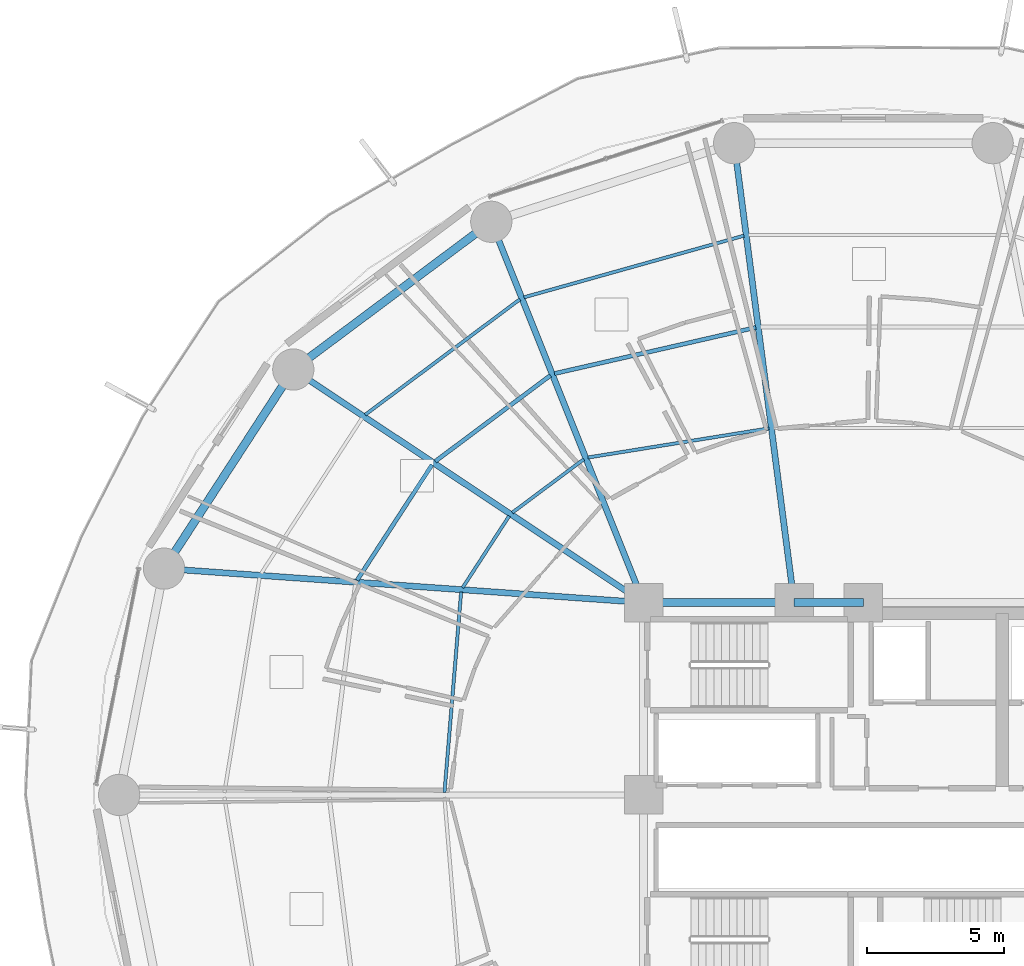
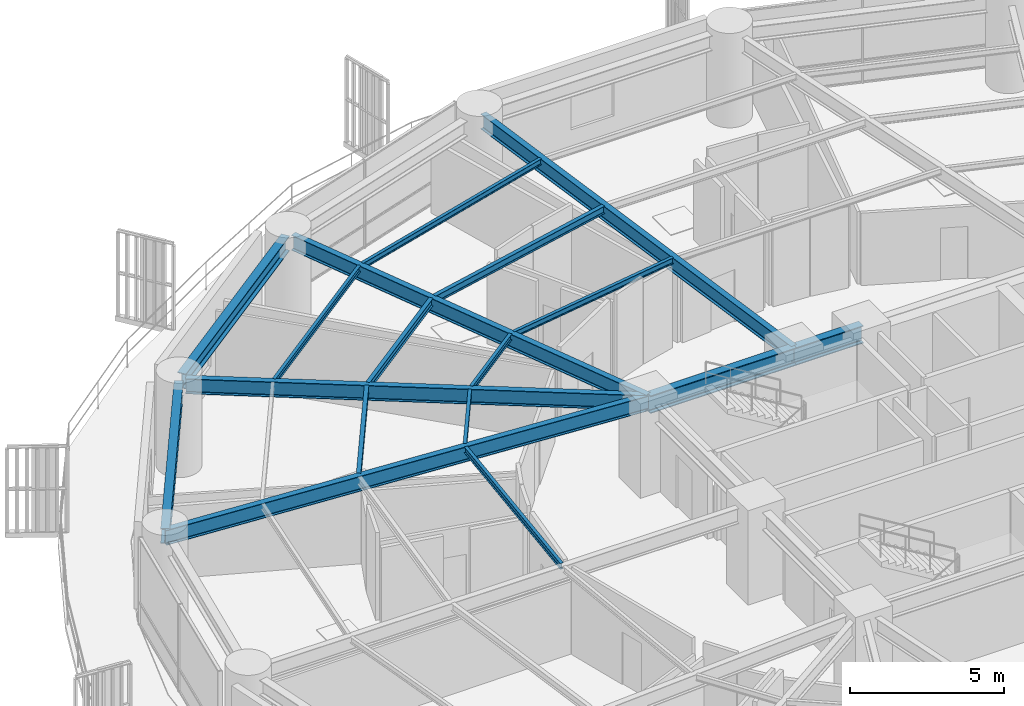
# One storey, part 16 of 34: 17 beams.
"""IFC4 building model written with IfcOpenShell, lengths in metres."""

from ifc_helpers import new_model, si_unit, direction, frame, origin, origin_2d, place, context, subcontext, project, spatial, i_section, extrude, material, material_profile, profile_set, type_object, element, save


model = new_model("IFC4")

# Units and contexts
model_context = context("Model", 3, precision=1e-05, world=origin(), true_north=direction((0.0, 1.0)))
body_context = subcontext(model_context, "Body", "Model", "MODEL_VIEW")
ifc_project = project(units=[si_unit("LENGTHUNIT", "METRE"), si_unit("AREAUNIT", "SQUARE_METRE"), si_unit("VOLUMEUNIT", "CUBIC_METRE"), si_unit("PLANEANGLEUNIT", "RADIAN"), si_unit("MASSUNIT", "GRAM", prefix="KILO")], contexts=[model_context])

# Site, building, storey
site_placement = place(None, origin())
site = spatial("IfcSite", under=ifc_project, at=site_placement, CompositionType="ELEMENT")
building_placement = place(site_placement, origin())
building = spatial("IfcBuilding", under=site, at=building_placement, Name="Kelanora Arch Commons", CompositionType="ELEMENT")
storey_placement = place(building_placement, frame((0.0, 0.0, 30.0)))
storey = spatial("IfcBuildingStorey", under=building, at=storey_placement, Name="L07", CompositionType="ELEMENT", Elevation=30.0)

# Beams
ifc_material = material(Name="Steel S355", Category="steel")
ifc_material_profile_1 = material_profile(ifc_material, i_section(OverallWidth=0.300048828125, OverallDepth=0.699951171875, WebThickness=0.01708984375, FlangeThickness=0.031982421875, FilletRadius=0.027099609375, at=origin_2d()), Name="HEB700")
ifc_profile_set_1 = profile_set([ifc_material_profile_1], Name="Steel S355")
beam_type_1 = type_object("IfcBeamType", Name="BM-CORE-HDR", PredefinedType="BEAM", material=ifc_profile_set_1)
beam_1_placement = place(storey_placement, frame((74.0, 65.0, 3.139892578125), z_axis=(-1.0, 0.0, 0.0), x_axis=(0.0, -1.0, 0.0)))
element("IfcBeam", 1, at=beam_1_placement, inside=storey, type_object=beam_type_1, Name="Core Header Beam 06 L07", PredefinedType="BEAM", context=body_context, shape_type="SweptSolid", body=[
    extrude(i_section(OverallWidth=0.300048828125, OverallDepth=0.699951171875, WebThickness=0.01708984375, FlangeThickness=0.031982421875, FilletRadius=0.027099609375, at=origin_2d()), origin(), (0.0, 0.0, 1.0), 2.52001953125),
])
beam_2_placement = place(storey_placement, frame((71.47998046875, 65.0, 3.139892578125), z_axis=(-1.0, 0.0, 0.0), x_axis=(0.0, -1.0, 0.0)))
element("IfcBeam", 2, at=beam_2_placement, inside=storey, type_object=beam_type_1, Name="Core Header Beam 07 L07", PredefinedType="BEAM", context=body_context, shape_type="SweptSolid", body=[
    extrude(i_section(OverallWidth=0.300048828125, OverallDepth=0.699951171875, WebThickness=0.01708984375, FlangeThickness=0.031982421875, FilletRadius=0.027099609375, at=origin_2d()), origin(), (0.0, 0.0, 1.0), 5.47998046875),
])
ifc_material_profile_2 = material_profile(ifc_material, i_section(OverallWidth=0.14990234375, OverallDepth=0.300048828125, WebThickness=0.007080078125, FlangeThickness=0.0107421875, FilletRadius=0.014892578125, at=origin_2d()), Name="IPE300")
ifc_profile_set_2 = profile_set([ifc_material_profile_2], Name="Steel S355")
beam_type_2 = type_object("IfcBeamType", Name="BM-JST-01", PredefinedType="JOIST", material=ifc_profile_set_2)
beam_3_placement = place(storey_placement, frame((70.087646484375, 75.009521484375, 3.340087890625), z_axis=(-0.974770159254, -0.223210968877, 0.0), x_axis=(0.223210968877, -0.974770159254, 0.0)))
element("IfcBeam", 3, at=beam_3_placement, inside=storey, type_object=beam_type_2, Name="Secondary Chord Joist BJB-10 L07", PredefinedType="JOIST", context=body_context, shape_type="SweptSolid", body=[
    extrude(i_section(OverallWidth=0.14990234375, OverallDepth=0.300048828125, WebThickness=0.007080078125, FlangeThickness=0.0107421875, FilletRadius=0.014892578125, at=origin_2d()), origin(), (0.0, 0.0, 1.0), 7.5185546875),
])
beam_4_placement = place(storey_placement, frame((62.60791015625, 73.261474609375, 3.340087890625), z_axis=(-0.801478251559, -0.598023922831, 0.0), x_axis=(0.598023922831, -0.801478251559, 0.0)))
element("IfcBeam", 4, at=beam_4_placement, inside=storey, type_object=beam_type_2, Name="Secondary Chord Joist BJB-12 L07", PredefinedType="JOIST", context=body_context, shape_type="SweptSolid", body=[
    extrude(i_section(OverallWidth=0.14990234375, OverallDepth=0.300048828125, WebThickness=0.007080078125, FlangeThickness=0.0107421875, FilletRadius=0.014892578125, at=origin_2d()), origin(), (0.0, 0.0, 1.0), 5.223388671875),
])
beam_5_placement = place(storey_placement, frame((58.306884765625, 70.015625, 3.340087890625), z_axis=(-0.544551588245, -0.838727350061, 0.0), x_axis=(0.838727350061, -0.544551588245, 0.0)))
element("IfcBeam", 5, at=beam_5_placement, inside=storey, type_object=beam_type_2, Name="Secondary Chord Joist BJB-14 L07", PredefinedType="JOIST", context=body_context, shape_type="SweptSolid", body=[
    extrude(i_section(OverallWidth=0.14990234375, OverallDepth=0.300048828125, WebThickness=0.007080078125, FlangeThickness=0.0107421875, FilletRadius=0.014892578125, at=origin_2d()), origin(), (0.0, 0.0, 1.0), 5.010986328125),
])
ifc_material_profile_3 = material_profile(ifc_material, i_section(OverallWidth=0.1201171875, OverallDepth=0.239990234375, WebThickness=0.006103515625, FlangeThickness=0.009765625, FilletRadius=0.014892578125, at=origin_2d()), Name="IPE240")
ifc_profile_set_3 = profile_set([ifc_material_profile_3], Name="Steel S355")
beam_type_3 = type_object("IfcBeamType", Name="BM-JST-02", PredefinedType="JOIST", material=ifc_profile_set_3)
beam_6_placement = place(storey_placement, frame((70.56689453125, 71.337890625, 3.3701171875), z_axis=(-0.987306715654, -0.158825215959, 0.0), x_axis=(0.158825215959, -0.987306715654, 0.0)))
element("IfcBeam", 6, at=beam_6_placement, inside=storey, type_object=beam_type_3, Name="Secondary Chord Joist BJA-10 L07", PredefinedType="JOIST", context=body_context, shape_type="SweptSolid", body=[
    extrude(i_section(OverallWidth=0.1201171875, OverallDepth=0.239990234375, WebThickness=0.006103515625, FlangeThickness=0.009765625, FilletRadius=0.014892578125, at=origin_2d()), origin(), (0.0, 0.0, 1.0), 6.6728515625),
])
beam_7_placement = place(storey_placement, frame((69.652099609375, 78.348388671875, 3.3701171875), z_axis=(-0.962914880978, -0.269805359456, 0.0), x_axis=(0.269805359456, -0.962914880978, 0.0)))
element("IfcBeam", 7, at=beam_7_placement, inside=storey, type_object=beam_type_3, Name="Secondary Chord Joist BJC-10 L07", PredefinedType="JOIST", context=body_context, shape_type="SweptSolid", body=[
    extrude(i_section(OverallWidth=0.1201171875, OverallDepth=0.239990234375, WebThickness=0.006103515625, FlangeThickness=0.009765625, FilletRadius=0.014892578125, at=origin_2d()), origin(), (0.0, 0.0, 1.0), 8.310302734375),
])
beam_8_placement = place(storey_placement, frame((63.82666015625, 70.213623046875, 3.3701171875), z_axis=(-0.801513822608, -0.59797624716, 0.0), x_axis=(0.59797624716, -0.801513822608, 0.0)))
element("IfcBeam", 8, at=beam_8_placement, inside=storey, type_object=beam_type_3, Name="Secondary Chord Joist BJA-12 L07", PredefinedType="JOIST", context=body_context, shape_type="SweptSolid", body=[
    extrude(i_section(OverallWidth=0.1201171875, OverallDepth=0.239990234375, WebThickness=0.006103515625, FlangeThickness=0.009765625, FilletRadius=0.014892578125, at=origin_2d()), origin(), (0.0, 0.0, 1.0), 3.245849609375),
])
beam_9_placement = place(storey_placement, frame((61.5, 76.0322265625, 3.3701171875), z_axis=(-0.80149131963, -0.598006408459, 0.0), x_axis=(0.598006408459, -0.80149131963, 0.0)))
element("IfcBeam", 9, at=beam_9_placement, inside=storey, type_object=beam_type_3, Name="Secondary Chord Joist BJC-12 L07", PredefinedType="JOIST", context=body_context, shape_type="SweptSolid", body=[
    extrude(i_section(OverallWidth=0.1201171875, OverallDepth=0.239990234375, WebThickness=0.006103515625, FlangeThickness=0.009765625, FilletRadius=0.014892578125, at=origin_2d()), origin(), (0.0, 0.0, 1.0), 7.021240234375),
])
beam_10_placement = place(storey_placement, frame((61.11083984375, 68.150390625, 3.3701171875), z_axis=(-0.544591105858, -0.838701691557, 0.0), x_axis=(0.838701691557, -0.544591105858, 0.0)))
element("IfcBeam", 10, at=beam_10_placement, inside=storey, type_object=beam_type_3, Name="Secondary Chord Joist BJA-14 L07", PredefinedType="JOIST", context=body_context, shape_type="SweptSolid", body=[
    extrude(i_section(OverallWidth=0.1201171875, OverallDepth=0.239990234375, WebThickness=0.006103515625, FlangeThickness=0.009765625, FilletRadius=0.014892578125, at=origin_2d()), origin(), (0.0, 0.0, 1.0), 3.111328125),
])
beam_11_placement = place(storey_placement, frame((59.363037109375, 65.385009765625, 3.3701171875), z_axis=(-0.082786209886, -0.996567330115, 0.0), x_axis=(0.996567330115, -0.082786209886, 0.0)))
element("IfcBeam", 11, at=beam_11_placement, inside=storey, type_object=beam_type_3, Name="Secondary Chord Joist BJA-16 L07", PredefinedType="JOIST", context=body_context, shape_type="SweptSolid", body=[
    extrude(i_section(OverallWidth=0.1201171875, OverallDepth=0.239990234375, WebThickness=0.006103515625, FlangeThickness=0.009765625, FilletRadius=0.014892578125, at=origin_2d()), origin(), (0.0, 0.0, 1.0), 7.325439453125),
])
ifc_material_profile_4 = material_profile(ifc_material, i_section(OverallWidth=0.219970703125, OverallDepth=0.60009765625, WebThickness=0.011962890625, FlangeThickness=0.01904296875, FilletRadius=0.02392578125, at=origin_2d()), Name="IPE600")
ifc_profile_set_4 = profile_set([ifc_material_profile_4], Name="Steel S355")
beam_type_4 = type_object("IfcBeamType", Name="BM-RAD-Z1", PredefinedType="BEAM", material=ifc_profile_set_4)
beam_12_placement = place(storey_placement, frame((71.47998046875, 65.0, 3.18994140625), z_axis=(-0.129465914729, 0.991583872864, 0.0), x_axis=(-0.991583872864, -0.129465914729, 0.0)))
element("IfcBeam", 12, at=beam_12_placement, inside=storey, type_object=beam_type_4, Name="Radial Floor Girder BR-10 L07", PredefinedType="BEAM", context=body_context, shape_type="SweptSolid", body=[
    extrude(i_section(OverallWidth=0.219970703125, OverallDepth=0.60009765625, WebThickness=0.011962890625, FlangeThickness=0.01904296875, FilletRadius=0.02392578125, at=origin_2d()), origin(), (0.0, 0.0, 1.0), 16.635986328125),
])
beam_13_placement = place(storey_placement, frame((66.0, 65.0, 3.18994140625), z_axis=(-0.371296182896, 0.928514482691, 0.0), x_axis=(-0.928514482691, -0.371296182896, 0.0)))
element("IfcBeam", 13, at=beam_13_placement, inside=storey, type_object=beam_type_4, Name="Radial Floor Girder BR-12 L07", PredefinedType="BEAM", context=body_context, shape_type="SweptSolid", body=[
    extrude(i_section(OverallWidth=0.219970703125, OverallDepth=0.60009765625, WebThickness=0.011962890625, FlangeThickness=0.01904296875, FilletRadius=0.02392578125, at=origin_2d()), origin(), (0.0, 0.0, 1.0), 14.700439453125),
])
beam_14_placement = place(storey_placement, frame((66.0, 65.0, 3.18994140625), z_axis=(-0.832592623638, 0.553885839379, 0.0), x_axis=(-0.553885839379, -0.832592623638, 0.0)))
element("IfcBeam", 14, at=beam_14_placement, inside=storey, type_object=beam_type_4, Name="Radial Floor Girder BR-14 L07", PredefinedType="BEAM", context=body_context, shape_type="SweptSolid", body=[
    extrude(i_section(OverallWidth=0.219970703125, OverallDepth=0.60009765625, WebThickness=0.011962890625, FlangeThickness=0.01904296875, FilletRadius=0.02392578125, at=origin_2d()), origin(), (0.0, 0.0, 1.0), 15.0869140625),
])
beam_15_placement = place(storey_placement, frame((66.0, 65.0, 3.18994140625), z_axis=(-0.997500683472, 0.070656821848, 0.0), x_axis=(-0.070656821848, -0.997500683472, 0.0)))
element("IfcBeam", 15, at=beam_15_placement, inside=storey, type_object=beam_type_4, Name="Radial Floor Girder BR-16 L07", PredefinedType="BEAM", context=body_context, shape_type="SweptSolid", body=[
    extrude(i_section(OverallWidth=0.219970703125, OverallDepth=0.60009765625, WebThickness=0.011962890625, FlangeThickness=0.01904296875, FilletRadius=0.02392578125, at=origin_2d()), origin(), (0.0, 0.0, 1.0), 17.49072265625),
])
ifc_material_profile_5 = material_profile(ifc_material, i_section(OverallWidth=0.300048828125, OverallDepth=0.60009765625, WebThickness=0.015380859375, FlangeThickness=0.030029296875, FilletRadius=0.027099609375, at=origin_2d()), Name="HEB600")
ifc_profile_set_5 = profile_set([ifc_material_profile_5], Name="Steel S355")
beam_type_5 = type_object("IfcBeamType", Name="BM-SPN-Z1", PredefinedType="SPANDREL", material=ifc_profile_set_5)
beam_16_placement = place(storey_placement, frame((60.28369140625, 78.722412109375, 3.18994140625), z_axis=(-0.801474585329, -0.598028836322, 0.0), x_axis=(0.598028836322, -0.801474585329, 0.0)))
element("IfcBeam", 16, at=beam_16_placement, inside=storey, type_object=beam_type_5, Name="Perimeter Spandrel Beam BS-12 L07", PredefinedType="SPANDREL", context=body_context, shape_type="SweptSolid", body=[
    extrude(i_section(OverallWidth=0.300048828125, OverallDepth=0.60009765625, WebThickness=0.015380859375, FlangeThickness=0.030029296875, FilletRadius=0.027099609375, at=origin_2d()), origin(), (0.0, 0.0, 1.0), 8.549072265625),
])
beam_17_placement = place(storey_placement, frame((53.1357421875, 73.293701171875, 3.18994140625), z_axis=(-0.544583445345, -0.83870666568, 0.0), x_axis=(0.83870666568, -0.544583445345, 0.0)))
element("IfcBeam", 17, at=beam_17_placement, inside=storey, type_object=beam_type_5, Name="Perimeter Spandrel Beam BS-14 L07", PredefinedType="SPANDREL", context=body_context, shape_type="SweptSolid", body=[
    extrude(i_section(OverallWidth=0.300048828125, OverallDepth=0.60009765625, WebThickness=0.015380859375, FlangeThickness=0.030029296875, FilletRadius=0.027099609375, at=origin_2d()), origin(), (0.0, 0.0, 1.0), 8.415283203125),
])

save(model, "model.ifc")
